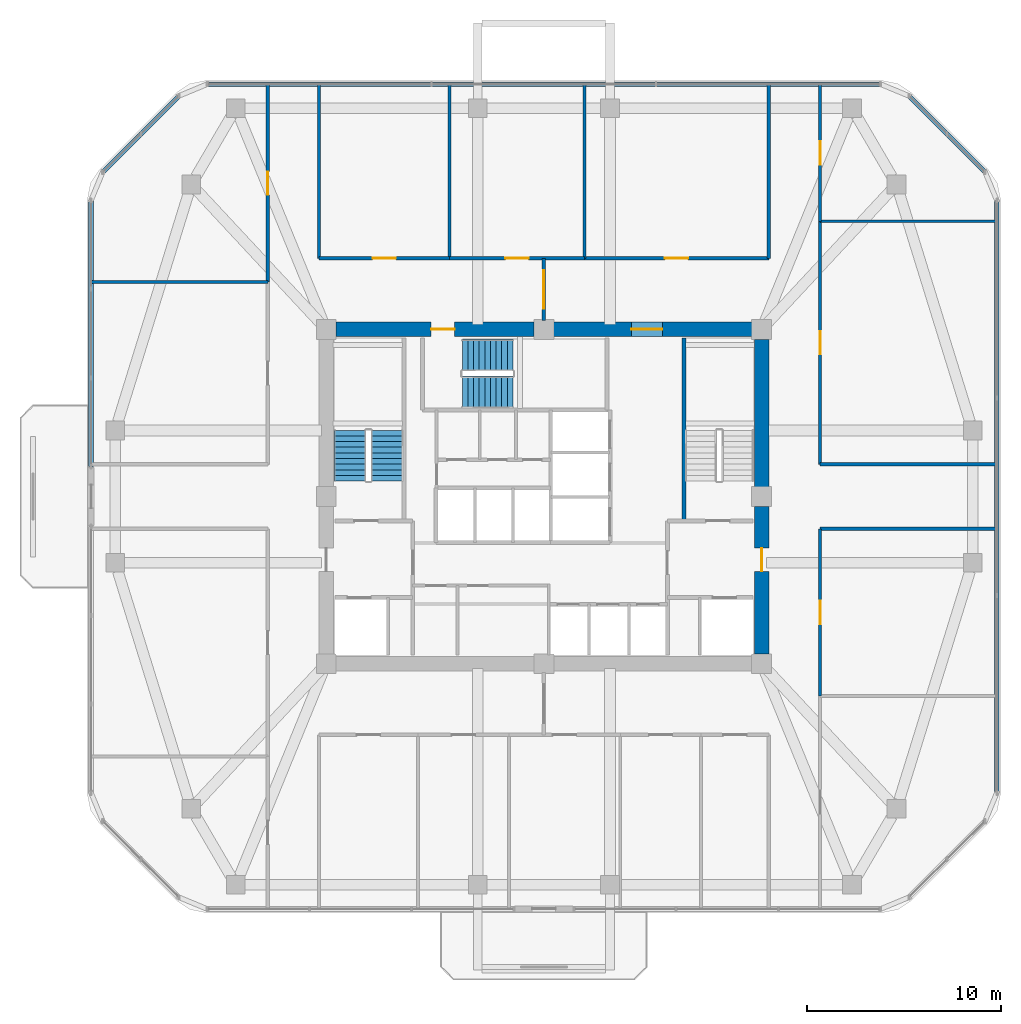
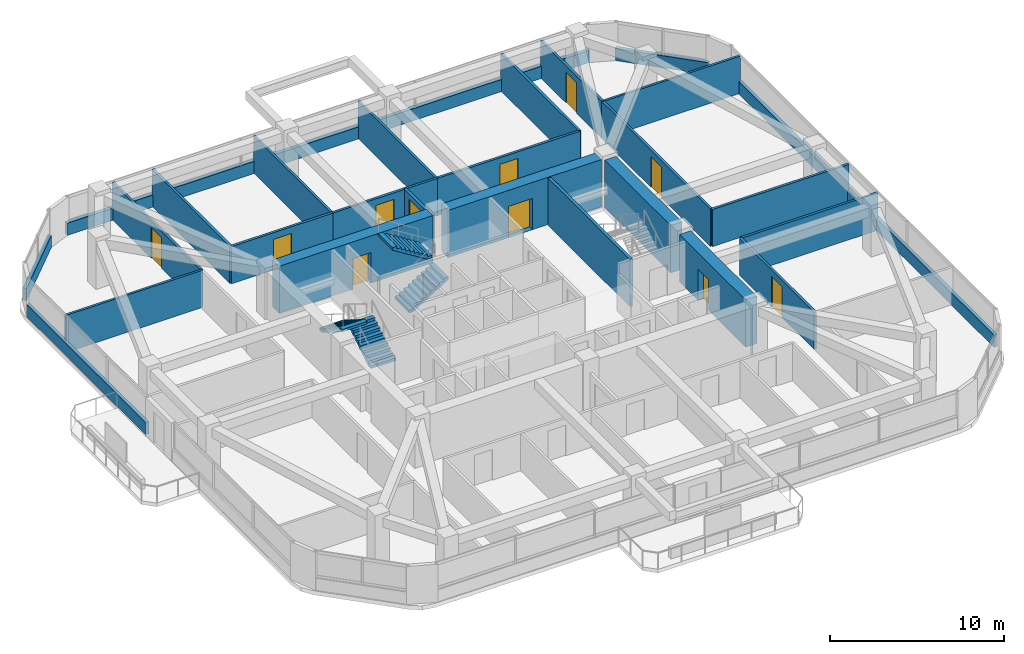
# One storey, part 9 of 12: 26 walls, 11 doors, 4 stair flights, 11 openings, 2 elements without a shape of their own.
"""IFC4 building model written with IfcOpenShell, lengths in metres."""

from ifc_helpers import new_model, si_unit, derived_unit, direction, frame, frame_2d, origin, place, context, subcontext, project, spatial, polyline, rectangle, outline, extrude, material, layer, layer_set, type_object, element, fill, aggregate, save


model = new_model("IFC4")

# Units and contexts
model_context = context("Model", 3, precision=1e-05, world=origin(), true_north=direction((0.0, 1.0)))
body_context = subcontext(model_context, "Body", "Model", "MODEL_VIEW")
ifc_project = project(units=[si_unit("LENGTHUNIT", "METRE"), si_unit("AREAUNIT", "SQUARE_METRE"), si_unit("VOLUMEUNIT", "CUBIC_METRE"), si_unit("PLANEANGLEUNIT", "RADIAN"), si_unit("MASSUNIT", "GRAM", prefix="KILO"), derived_unit("THERMALTRANSMITTANCEUNIT", [(si_unit("POWERUNIT", "WATT"), 1), (si_unit("LENGTHUNIT", "METRE"), -2), (si_unit("THERMODYNAMICTEMPERATUREUNIT", "KELVIN"), -1)])], contexts=[model_context])

# Site, building, storey
site_placement = place(None, origin())
site = spatial("IfcSite", under=ifc_project, at=site_placement, CompositionType="ELEMENT")
building_placement = place(site_placement, origin())
building = spatial("IfcBuilding", under=site, at=building_placement, Name="Koralith Skygarden Medical Center", CompositionType="ELEMENT")
storey_placement = place(building_placement, frame((0.0, 0.0, 149.219970703125)))
storey = spatial("IfcBuildingStorey", under=building, at=storey_placement, Name="L38", CompositionType="ELEMENT", Elevation=149.219970703125)

# Walls
ifc_material_1 = material(Name="Gypsum Board Partition")
ifc_layer_1 = layer(ifc_material_1, 0.14990234375)
ifc_layer_set_1 = layer_set([ifc_layer_1], Name="Gypsum Board Partition")
wall_type_1 = type_object("IfcWallType", Name="Clinical Acoustic Partition 150", PredefinedType="PARTITIONING", material=ifc_layer_set_1)
for number, where, z_axis, x_axis, name in (
    (1, (32.14501953125, 38.159912109375, 0.0), (0.0, 0.0, 1.0), (0.0, 1.0, 0.0), "L38 Clinical Acoustic Partition 150 W-PART-L38-N-01"),
    (2, (39.0810546875, 38.159912109375, 0.0), (0.0, 0.0, 1.0), (0.0, 1.0, 0.0), "L38 Clinical Acoustic Partition 150 W-PART-L38-N-02"),
):
    element("IfcWall", number, at=place(storey_placement, frame(where, z_axis=z_axis, x_axis=x_axis)), inside=storey, type_object=wall_type_1, Name=name, PredefinedType="PARTITIONING", context=body_context, shape_type="SweptSolid", body=[
        extrude(rectangle(XDim=8.940185546875, YDim=0.14990234375, at=frame_2d((4.47021484375, 0.0))), origin(), (0.0, 0.0, 1.0), 2.610107421875),
    ])
for number, where, z_axis, x_axis, name in (
    (3, (22.7900390625, 36.93896484375, 0.0), (0.0, 0.0, 1.0), (-1.0, 0.0, 0.0), "L38 Clinical Acoustic Partition 150 W-PART-L38-WN-01"),
    (4, (51.2099609375, 40.06591796875, 0.0), (0.0, 0.0, 1.0), (1.0, 0.0, 0.0), "L38 Clinical Acoustic Partition 150 W-PART-L38-EN-01"),
):
    element("IfcWall", number, at=place(storey_placement, frame(where, z_axis=z_axis, x_axis=x_axis)), inside=storey, type_object=wall_type_1, Name=name, PredefinedType="PARTITIONING", context=body_context, shape_type="SweptSolid", body=[
        extrude(rectangle(XDim=9.073974609375, YDim=0.14990234375, at=frame_2d((4.537109375, 0.0))), origin(), (0.0, 0.0, 1.0), 2.610107421875),
    ])
ifc_layer_2 = layer(ifc_material_1, 0.1650390625)
ifc_layer_set_2 = layer_set([ifc_layer_2], Name="Gypsum Board Partition")
wall_type_2 = type_object("IfcWallType", Name="Clinical Corridor Partition 165", PredefinedType="PARTITIONING", material=ifc_layer_set_2)
for number, where, z_axis, x_axis, name in (
    (5, (25.429931640625, 38.159912109375, 0.0), (0.0, 0.0, 1.0), (0.0, 1.0, 0.0), "L38 Clinical Corridor Partition 165 W-HCOR-L38-NW"),
    (6, (48.570068359375, 38.159912109375, 0.0), (0.0, 0.0, 1.0), (0.0, 1.0, 0.0), "L38 Clinical Corridor Partition 165 W-HCOR-L38-NE"),
):
    element("IfcWall", number, at=place(storey_placement, frame(where, z_axis=z_axis, x_axis=x_axis)), inside=storey, type_object=wall_type_2, Name=name, PredefinedType="PARTITIONING", context=body_context, shape_type="SweptSolid", body=[
        extrude(rectangle(XDim=8.940185546875, YDim=0.1650390625, at=frame_2d((4.47021484375, 0.0))), origin(), (0.0, 0.0, 1.0), 2.610107421875),
    ])
for number, where, z_axis, x_axis, name in (
    (7, (51.2099609375, 24.239990234375, 0.0), (0.0, 0.0, 1.0), (1.0, 0.0, 0.0), "L38 Clinical Corridor Partition 165 W-HCOR-L38-EWS-E"),
    (8, (51.2099609375, 27.56005859375, 0.0), (0.0, 0.0, 1.0), (1.0, 0.0, 0.0), "L38 Clinical Corridor Partition 165 W-HCOR-L38-EWN-E"),
):
    element("IfcWall", number, at=place(storey_placement, frame(where, z_axis=z_axis, x_axis=x_axis)), inside=storey, type_object=wall_type_2, Name=name, PredefinedType="PARTITIONING", context=body_context, shape_type="SweptSolid", body=[
        extrude(rectangle(XDim=9.073974609375, YDim=0.1650390625, at=frame_2d((4.537109375, 0.0))), origin(), (0.0, 0.0, 1.0), 2.610107421875),
    ])

# Wall, opening, door
wall_1_placement = place(storey_placement, frame((25.429931640625, 38.159912109375, 0.0), z_axis=(0.0, 0.0, 1.0), x_axis=(1.0, 0.0, 0.0)))
wall_1 = element("IfcWall", 9, at=wall_1_placement, inside=storey, type_object=wall_type_2, Name="L38 Clinical Corridor Partition 165 W-CORR-L38-N-01", PredefinedType="PARTITIONING", context=body_context, shape_type="SweptSolid", body=[
    extrude(rectangle(XDim=6.715087890625, YDim=0.1650390625, at=frame_2d((3.357421875, 0.0))), origin(), (0.0, 0.0, 1.0), 2.610107421875),
])
opening_1_placement = place(wall_1_placement, frame((2.758056640625, 0.0, 0.0)))
opening_1 = element("IfcOpeningElement", 10, at=opening_1_placement, cuts=wall_1, Name="Opening D-CLN", PredefinedType="OPENING", context=body_context, shape_type="SweptSolid", body=[
    extrude(rectangle(XDim=1.199951171875, YDim=2.14990234375, at=frame_2d((0.60009765625, 1.074951171875))), frame((0.0, 0.092529296875, 0.0), z_axis=(0.0, -1.0, 0.0), x_axis=(1.0, 0.0, 0.0)), (0.0, 0.0, 1.0), 0.18505859375),
])
ifc_material_2 = material(Name="Aluminium 6063-T6", Category="aluminium")
door_type_1 = type_object("IfcDoorType", Name="Clinical Corridor Door D-CLN 1200", OperationType="NOTDEFINED", PredefinedType="DOOR", material=ifc_material_2)
door_1_placement = place(opening_1_placement, origin())
door_1 = element("IfcDoor", 11, at=door_1_placement, inside=storey, type_object=door_type_1, Name="L38 Dermatology Procedure Room 01 Door", OperationType="SINGLE_SWING_RIGHT", OverallHeight=2.14990234375, OverallWidth=1.199951171875, PredefinedType="DOOR", context=body_context, shape_type="SweptSolid", body=[
    extrude(rectangle(XDim=1.199951171875, YDim=2.14990234375, at=frame_2d((0.60009765625, 1.074951171875))), frame((0.0, 0.02490234375, 0.0), z_axis=(0.0, -1.0, 0.0), x_axis=(1.0, 0.0, 0.0)), (0.0, 0.0, 1.0), 0.050048828125),
])
fill(opening_1, door_1)

wall_2_placement = place(storey_placement, frame((32.14501953125, 38.159912109375, 0.0), z_axis=(0.0, 0.0, 1.0), x_axis=(1.0, 0.0, 0.0)))
wall_2 = element("IfcWall", 12, at=wall_2_placement, inside=storey, type_object=wall_type_2, Name="L38 Clinical Corridor Partition 165 W-CORR-L38-N-02", PredefinedType="PARTITIONING", context=body_context, shape_type="SweptSolid", body=[
    extrude(rectangle(XDim=6.93603515625, YDim=0.1650390625, at=frame_2d((3.468017578125, 0.0))), origin(), (0.0, 0.0, 1.0), 2.610107421875),
])
opening_2_placement = place(wall_2_placement, frame((2.867919921875, 0.0, 0.0)))
opening_2 = element("IfcOpeningElement", 13, at=opening_2_placement, cuts=wall_2, Name="Opening D-CLN", PredefinedType="OPENING", context=body_context, shape_type="SweptSolid", body=[
    extrude(rectangle(XDim=1.199951171875, YDim=2.14990234375, at=frame_2d((0.60009765625, 1.074951171875))), frame((0.0, 0.092529296875, 0.0), z_axis=(0.0, -1.0, 0.0), x_axis=(1.0, 0.0, 0.0)), (0.0, 0.0, 1.0), 0.18505859375),
])
door_2_placement = place(opening_2_placement, origin())
door_2 = element("IfcDoor", 14, at=door_2_placement, inside=storey, type_object=door_type_1, Name="L38 Allergy Immunology Office 02 Door", OperationType="SINGLE_SWING_LEFT", OverallHeight=2.14990234375, OverallWidth=1.199951171875, PredefinedType="DOOR", context=body_context, shape_type="SweptSolid", body=[
    extrude(rectangle(XDim=1.199951171875, YDim=2.14990234375, at=frame_2d((0.60009765625, 1.074951171875))), frame((0.0, 0.02490234375, 0.0), z_axis=(0.0, -1.0, 0.0), x_axis=(1.0, 0.0, 0.0)), (0.0, 0.0, 1.0), 0.050048828125),
])
fill(opening_2, door_2)

wall_3_placement = place(storey_placement, frame((39.0810546875, 38.159912109375, 0.0), z_axis=(0.0, 0.0, 1.0), x_axis=(1.0, 0.0, 0.0)))
wall_3 = element("IfcWall", 15, at=wall_3_placement, inside=storey, type_object=wall_type_2, Name="L38 Clinical Corridor Partition 165 W-CORR-L38-N-03", PredefinedType="PARTITIONING", context=body_context, shape_type="SweptSolid", body=[
    extrude(rectangle(XDim=9.489013671875, YDim=0.1650390625, at=frame_2d((4.74462890625, 0.0))), origin(), (0.0, 0.0, 1.0), 2.610107421875),
])
opening_3_placement = place(wall_3_placement, frame((4.14404296875, 0.0, 0.0)))
opening_3 = element("IfcOpeningElement", 16, at=opening_3_placement, cuts=wall_3, Name="Opening D-CLN", PredefinedType="OPENING", context=body_context, shape_type="SweptSolid", body=[
    extrude(rectangle(XDim=1.199951171875, YDim=2.14990234375, at=frame_2d((0.60009765625, 1.074951171875))), frame((0.0, 0.092529296875, 0.0), z_axis=(0.0, -1.0, 0.0), x_axis=(1.0, 0.0, 0.0)), (0.0, 0.0, 1.0), 0.18505859375),
])
door_3_placement = place(opening_3_placement, origin())
door_3 = element("IfcDoor", 17, at=door_3_placement, inside=storey, type_object=door_type_1, Name="L38 Clinical Tea Pantry 03 Door", OperationType="SINGLE_SWING_RIGHT", OverallHeight=2.14990234375, OverallWidth=1.199951171875, PredefinedType="DOOR", context=body_context, shape_type="SweptSolid", body=[
    extrude(rectangle(XDim=1.199951171875, YDim=2.14990234375, at=frame_2d((0.60009765625, 1.074951171875))), frame((0.0, 0.02490234375, 0.0), z_axis=(0.0, -1.0, 0.0), x_axis=(1.0, 0.0, 0.0)), (0.0, 0.0, 1.0), 0.050048828125),
])
fill(opening_3, door_3)

wall_4_placement = place(storey_placement, frame((22.7900390625, 36.93896484375, 0.0), z_axis=(0.0, 0.0, 1.0), x_axis=(0.0, 1.0, 0.0)))
wall_4 = element("IfcWall", 18, at=wall_4_placement, inside=storey, type_object=wall_type_2, Name="L38 Clinical Corridor Partition 165 W-CORR-L38-WN-02", PredefinedType="PARTITIONING", context=body_context, shape_type="SweptSolid", body=[
    extrude(rectangle(XDim=10.1611328125, YDim=0.1650390625, at=frame_2d((5.08056640625, 0.0))), origin(), (0.0, 0.0, 1.0), 2.610107421875),
])
opening_4_placement = place(wall_4_placement, frame((4.48095703125, 0.0, 0.0)))
opening_4 = element("IfcOpeningElement", 19, at=opening_4_placement, cuts=wall_4, Name="Opening D-CLN", PredefinedType="OPENING", context=body_context, shape_type="SweptSolid", body=[
    extrude(rectangle(XDim=1.199951171875, YDim=2.14990234375, at=frame_2d((0.60009765625, 1.074951171875))), frame((0.0, 0.092529296875, 0.0), z_axis=(0.0, -1.0, 0.0), x_axis=(1.0, 0.0, 0.0)), (0.0, 0.0, 1.0), 0.18505859375),
])
door_4_placement = place(opening_4_placement, frame((1.199951171875, 0.0, 0.0), z_axis=(0.0, 0.0, 1.0), x_axis=(-1.0, 0.0, 0.0)))
door_4 = element("IfcDoor", 20, at=door_4_placement, inside=storey, type_object=door_type_1, Name="L38 Clinical Tea Pantry 12 Door", OperationType="SINGLE_SWING_LEFT", OverallHeight=2.14990234375, OverallWidth=1.199951171875, PredefinedType="DOOR", context=body_context, shape_type="SweptSolid", body=[
    extrude(rectangle(XDim=1.199951171875, YDim=2.14990234375, at=frame_2d((0.60009765625, 1.074951171875))), frame((0.0, 0.02490234375, 0.0), z_axis=(0.0, -1.0, 0.0), x_axis=(1.0, 0.0, 0.0)), (0.0, 0.0, 1.0), 0.050048828125),
])
fill(opening_4, door_4)

wall_5_placement = place(storey_placement, frame((51.2099609375, 15.64208984375, 0.0), z_axis=(0.0, 0.0, 1.0), x_axis=(0.0, 1.0, 0.0)))
wall_5 = element("IfcWall", 21, at=wall_5_placement, inside=storey, type_object=wall_type_2, Name="L38 Clinical Corridor Partition 165 W-CORR-L38-ES-02", PredefinedType="PARTITIONING", context=body_context, shape_type="SweptSolid", body=[
    extrude(rectangle(XDim=8.597900390625, YDim=0.1650390625, at=frame_2d((4.298828125, 0.0))), origin(), (0.0, 0.0, 1.0), 2.610107421875),
])
opening_5_placement = place(wall_5_placement, frame((3.698974609375, 0.0, 0.0)))
opening_5 = element("IfcOpeningElement", 22, at=opening_5_placement, cuts=wall_5, Name="Opening D-CLN", PredefinedType="OPENING", context=body_context, shape_type="SweptSolid", body=[
    extrude(rectangle(XDim=1.199951171875, YDim=2.14990234375, at=frame_2d((0.60009765625, 1.074951171875))), frame((0.0, 0.092529296875, 0.0), z_axis=(0.0, -1.0, 0.0), x_axis=(1.0, 0.0, 0.0)), (0.0, 0.0, 1.0), 0.18505859375),
])
door_5_placement = place(opening_5_placement, origin())
door_5 = element("IfcDoor", 23, at=door_5_placement, inside=storey, type_object=door_type_1, Name="L38 Dermatology Procedure Room 14 Door", OperationType="SINGLE_SWING_LEFT", OverallHeight=2.14990234375, OverallWidth=1.199951171875, PredefinedType="DOOR", context=body_context, shape_type="SweptSolid", body=[
    extrude(rectangle(XDim=1.199951171875, YDim=2.14990234375, at=frame_2d((0.60009765625, 1.074951171875))), frame((0.0, 0.02490234375, 0.0), z_axis=(0.0, -1.0, 0.0), x_axis=(1.0, 0.0, 0.0)), (0.0, 0.0, 1.0), 0.050048828125),
])
fill(opening_5, door_5)

wall_6_placement = place(storey_placement, frame((51.2099609375, 27.56005859375, 0.0), z_axis=(0.0, 0.0, 1.0), x_axis=(0.0, 1.0, 0.0)))
wall_6 = element("IfcWall", 24, at=wall_6_placement, inside=storey, type_object=wall_type_2, Name="L38 Clinical Corridor Partition 165 W-CORR-L38-EN-01", PredefinedType="PARTITIONING", context=body_context, shape_type="SweptSolid", body=[
    extrude(rectangle(XDim=12.505859375, YDim=0.1650390625, at=frame_2d((6.2529296875, 0.0))), origin(), (0.0, 0.0, 1.0), 2.610107421875),
])
opening_6_placement = place(wall_6_placement, frame((5.653076171875, 0.0, 0.0)))
opening_6 = element("IfcOpeningElement", 25, at=opening_6_placement, cuts=wall_6, Name="Opening D-CLN", PredefinedType="OPENING", context=body_context, shape_type="SweptSolid", body=[
    extrude(rectangle(XDim=1.199951171875, YDim=2.14990234375, at=frame_2d((0.60009765625, 1.074951171875))), frame((0.0, 0.092529296875, 0.0), z_axis=(0.0, -1.0, 0.0), x_axis=(1.0, 0.0, 0.0)), (0.0, 0.0, 1.0), 0.18505859375),
])
door_6_placement = place(opening_6_placement, origin())
door_6 = element("IfcDoor", 26, at=door_6_placement, inside=storey, type_object=door_type_1, Name="L38 Allergy Immunology Office 15 Door", OperationType="SINGLE_SWING_RIGHT", OverallHeight=2.14990234375, OverallWidth=1.199951171875, PredefinedType="DOOR", context=body_context, shape_type="SweptSolid", body=[
    extrude(rectangle(XDim=1.199951171875, YDim=2.14990234375, at=frame_2d((0.60009765625, 1.074951171875))), frame((0.0, 0.02490234375, 0.0), z_axis=(0.0, -1.0, 0.0), x_axis=(1.0, 0.0, 0.0)), (0.0, 0.0, 1.0), 0.050048828125),
])
fill(opening_6, door_6)

wall_7_placement = place(storey_placement, frame((51.2099609375, 40.06591796875, 0.0), z_axis=(0.0, 0.0, 1.0), x_axis=(0.0, 1.0, 0.0)))
wall_7 = element("IfcWall", 27, at=wall_7_placement, inside=storey, type_object=wall_type_2, Name="L38 Clinical Corridor Partition 165 W-CORR-L38-EN-02", PredefinedType="PARTITIONING", context=body_context, shape_type="SweptSolid", body=[
    extrude(rectangle(XDim=7.0341796875, YDim=0.1650390625, at=frame_2d((3.51708984375, 0.0))), origin(), (0.0, 0.0, 1.0), 2.610107421875),
])
opening_7_placement = place(wall_7_placement, frame((2.9169921875, 0.0, 0.0)))
opening_7 = element("IfcOpeningElement", 28, at=opening_7_placement, cuts=wall_7, Name="Opening D-CLN", PredefinedType="OPENING", context=body_context, shape_type="SweptSolid", body=[
    extrude(rectangle(XDim=1.199951171875, YDim=2.14990234375, at=frame_2d((0.60009765625, 1.074951171875))), frame((0.0, 0.092529296875, 0.0), z_axis=(0.0, -1.0, 0.0), x_axis=(1.0, 0.0, 0.0)), (0.0, 0.0, 1.0), 0.18505859375),
])
door_7_placement = place(opening_7_placement, origin())
door_7 = element("IfcDoor", 29, at=door_7_placement, inside=storey, type_object=door_type_1, Name="L38 Clinical Tea Pantry 16 Door", OperationType="SINGLE_SWING_LEFT", OverallHeight=2.14990234375, OverallWidth=1.199951171875, PredefinedType="DOOR", context=body_context, shape_type="SweptSolid", body=[
    extrude(rectangle(XDim=1.199951171875, YDim=2.14990234375, at=frame_2d((0.60009765625, 1.074951171875))), frame((0.0, 0.02490234375, 0.0), z_axis=(0.0, -1.0, 0.0), x_axis=(1.0, 0.0, 0.0)), (0.0, 0.0, 1.0), 0.050048828125),
])
fill(opening_7, door_7)

ifc_layer_3 = layer(ifc_material_1, 0.179931640625)
ifc_layer_set_3 = layer_set([ifc_layer_3], Name="Gypsum Board Partition")
wall_type_3 = type_object("IfcWallType", Name="Group I-2 Smoke Barrier Wall 180", PredefinedType="PARTITIONING", material=ifc_layer_set_3)
wall_8_placement = place(storey_placement, frame((37.0, 34.949951171875, 0.0), z_axis=(0.0, 0.0, 1.0), x_axis=(0.0, 1.0, 0.0)))
wall_8 = element("IfcWall", 30, at=wall_8_placement, inside=storey, type_object=wall_type_3, Name="L38 Group I-2 Smoke Barrier Wall 180 W-SMK-L38-N", PredefinedType="PARTITIONING", context=body_context, shape_type="SweptSolid", body=[
    extrude(rectangle(XDim=3.2099609375, YDim=0.179931640625, at=frame_2d((1.60498046875, 0.0))), origin(), (0.0, 0.0, 1.0), 2.610107421875),
])
opening_8_placement = place(wall_8_placement, frame((0.60498046875, 0.0, 0.0)))
opening_8 = element("IfcOpeningElement", 31, at=opening_8_placement, cuts=wall_8, Name="Opening D-SMK", PredefinedType="OPENING", context=body_context, shape_type="SweptSolid", body=[
    extrude(rectangle(XDim=2.0, YDim=2.199951171875, at=frame_2d((1.0, 1.10009765625))), frame((0.0, 0.099853515625, 0.0), z_axis=(0.0, -1.0, 0.0), x_axis=(1.0, 0.0, 0.0)), (0.0, 0.0, 1.0), 0.199951171875),
])
ifc_material_3 = material(Name="Steel ASTM A500 Grade C", Category="steel")
door_type_2 = type_object("IfcDoorType", Name="Cross-Corridor Double Smoke Door FD60S 2000", OperationType="NOTDEFINED", PredefinedType="DOOR", material=ifc_material_3)
door_8_placement = place(opening_8_placement, origin())
door_8 = element("IfcDoor", 32, at=door_8_placement, inside=storey, type_object=door_type_2, Name="L38 N Smoke Compartment Cross-Corridor Door", OperationType="DOUBLE_DOOR_SINGLE_SWING", OverallHeight=2.199951171875, OverallWidth=2.0, PredefinedType="DOOR", context=body_context, shape_type="SweptSolid", body=[
    extrude(rectangle(XDim=2.0, YDim=2.199951171875, at=frame_2d((1.0, 1.10009765625))), frame((0.0, 0.02490234375, 0.0), z_axis=(0.0, -1.0, 0.0), x_axis=(1.0, 0.0, 0.0)), (0.0, 0.0, 1.0), 0.050048828125),
])
fill(opening_8, door_8)

# Walls
ifc_material_4 = material(Name="Warm Oolitic Limestone Cladding", Category="masonry")
ifc_layer_4 = layer(ifc_material_4, 0.239990234375)
ifc_layer_set_4 = layer_set([ifc_layer_4], Name="Warm Oolitic Limestone Cladding")
wall_type_4 = type_object("IfcWallType", Name="Limestone Spandrel Sill Backup Wall 240", PredefinedType="SOLIDWALL", material=ifc_layer_set_4)
wall_9_placement = place(storey_placement, frame((60.303955078125, 10.655029296875, 0.0), z_axis=(0.0, 0.0, 1.0), x_axis=(0.0, 1.0, 0.0)))
element("IfcWall", 33, at=wall_9_placement, inside=storey, type_object=wall_type_4, Name="L38 Sill Spandrel E", PredefinedType="SOLIDWALL", context=body_context, shape_type="SweptSolid", body=[
    extrude(rectangle(XDim=30.489990234375, YDim=0.239990234375, at=frame_2d((15.2451171875, 0.0))), origin(), (0.0, 0.0, 1.0), 0.85009765625),
])
wall_10_placement = place(storey_placement, frame((59.702880859375, 42.595947265625, 0.0), z_axis=(0.0, 0.0, 1.0), x_axis=(-0.707084777957, 0.707128783731, 0.0)))
element("IfcWall", 34, at=wall_10_placement, inside=storey, type_object=wall_type_4, Name="L38 Sill Spandrel NE", PredefinedType="SOLIDWALL", context=body_context, shape_type="SweptSolid", body=[
    extrude(rectangle(XDim=5.5478515625, YDim=0.239990234375, at=frame_2d((2.77392578125, 0.0))), origin(), (0.0, 0.0, 1.0), 0.85009765625),
])
wall_11_placement = place(storey_placement, frame((54.3291015625, 47.1201171875, 0.0), z_axis=(0.0, 0.0, 1.0), x_axis=(-1.0, 0.0, 0.0)))
element("IfcWall", 35, at=wall_11_placement, inside=storey, type_object=wall_type_4, Name="L38 Sill Spandrel N", PredefinedType="SOLIDWALL", context=body_context, shape_type="SweptSolid", body=[
    extrude(rectangle(XDim=34.658203125, YDim=0.239990234375, at=frame_2d((17.3291015625, 0.0))), origin(), (0.0, 0.0, 1.0), 0.85009765625),
])
wall_12_placement = place(storey_placement, frame((18.219970703125, 46.51904296875, 0.0), z_axis=(0.0, 0.0, 1.0), x_axis=(-0.707084777957, -0.707128783731, 0.0)))
element("IfcWall", 36, at=wall_12_placement, inside=storey, type_object=wall_type_4, Name="L38 Sill Spandrel NW", PredefinedType="SOLIDWALL", context=body_context, shape_type="SweptSolid", body=[
    extrude(rectangle(XDim=5.5478515625, YDim=0.239990234375, at=frame_2d((2.77392578125, 0.0))), origin(), (0.0, 0.0, 1.0), 0.85009765625),
])
wall_13_placement = place(storey_placement, frame((13.696044921875, 41.14501953125, 0.0), z_axis=(0.0, 0.0, 1.0), x_axis=(0.0, -1.0, 0.0)))
element("IfcWall", 37, at=wall_13_placement, inside=storey, type_object=wall_type_4, Name="L38 Sill Spandrel W-L", PredefinedType="SOLIDWALL", context=body_context, shape_type="SweptSolid", body=[
    extrude(rectangle(XDim=13.705078125, YDim=0.239990234375, at=frame_2d((6.8525390625, 0.0))), origin(), (0.0, 0.0, 1.0), 0.85009765625),
])

# Wall, opening, door
ifc_material_5 = material(Name="Concrete C70/85", Category="concrete")
ifc_layer_5 = layer(ifc_material_5, 0.75)
ifc_layer_set_5 = layer_set([ifc_layer_5], Name="Concrete C70/85")
wall_type_5 = type_object("IfcWallType", Name="Mid Core Shear Wall 750", PredefinedType="SHEAR", material=ifc_layer_set_5)
wall_14_placement = place(storey_placement, frame((48.199951171875, 17.804931640625, 0.0), z_axis=(0.0, 0.0, 1.0), x_axis=(0.0, 1.0, 0.0)))
wall_14 = element("IfcWall", 38, at=wall_14_placement, inside=storey, type_object=wall_type_5, Name="L38 Core Shear Wall Segment 3", PredefinedType="SHEAR", context=body_context, shape_type="SweptSolid", body=[
    extrude(rectangle(XDim=7.590087890625, YDim=0.75, at=frame_2d((3.794921875, 0.0))), origin(), (0.0, 0.0, 1.0), 3.320068359375),
])
opening_9_placement = place(wall_14_placement, frame((4.2451171875, 0.0, 0.0)))
opening_9 = element("IfcOpeningElement", 39, at=opening_9_placement, cuts=wall_14, Name="Opening D-ST60", PredefinedType="OPENING", context=body_context, shape_type="SweptSolid", body=[
    extrude(rectangle(XDim=1.199951171875, YDim=2.14990234375, at=frame_2d((0.60009765625, 1.074951171875))), frame((0.0, 0.385009765625, 0.0), z_axis=(0.0, -1.0, 0.0), x_axis=(1.0, 0.0, 0.0)), (0.0, 0.0, 1.0), 0.77001953125),
])
door_type_3 = type_object("IfcDoorType", Name="Smokeproof Stair Fire Door FD60S 1200", OperationType="NOTDEFINED", PredefinedType="DOOR", material=ifc_material_3)
door_9_placement = place(opening_9_placement, frame((1.199951171875, 0.0, 0.0), z_axis=(0.0, 0.0, 1.0), x_axis=(-1.0, 0.0, 0.0)))
door_9 = element("IfcDoor", 40, at=door_9_placement, inside=storey, type_object=door_type_3, Name="L38 East Corridor to Firefighting Lobby Door", OperationType="SINGLE_SWING_RIGHT", OverallHeight=2.14990234375, OverallWidth=1.199951171875, PredefinedType="DOOR", context=body_context, shape_type="SweptSolid", body=[
    extrude(rectangle(XDim=1.199951171875, YDim=2.14990234375, at=frame_2d((0.60009765625, 1.074951171875))), frame((0.0, 0.02490234375, 0.0), z_axis=(0.0, -1.0, 0.0), x_axis=(1.0, 0.0, 0.0)), (0.0, 0.0, 1.0), 0.050048828125),
])
fill(opening_9, door_9)

# Wall
wall_15_placement = place(storey_placement, frame((48.199951171875, 26.405029296875, 0.0), z_axis=(0.0, 0.0, 1.0), x_axis=(0.0, 1.0, 0.0)))
element("IfcWall", 41, at=wall_15_placement, inside=storey, type_object=wall_type_5, Name="L38 Core Shear Wall Segment 4", PredefinedType="SHEAR", context=body_context, shape_type="SweptSolid", body=[
    extrude(rectangle(XDim=7.590087890625, YDim=0.75, at=frame_2d((3.794921875, 0.0))), origin(), (0.0, 0.0, 1.0), 3.320068359375),
])

# Wall, opening, door
wall_16_placement = place(storey_placement, frame((47.695068359375, 34.5, 0.0), z_axis=(0.0, 0.0, 1.0), x_axis=(-1.0, 0.0, 0.0)))
wall_16 = element("IfcWall", 42, at=wall_16_placement, inside=storey, type_object=wall_type_5, Name="L38 Core Shear Wall Segment 5", PredefinedType="SHEAR", context=body_context, shape_type="SweptSolid", body=[
    extrude(rectangle(XDim=10.190185546875, YDim=0.75, at=frame_2d((5.09521484375, 0.0))), origin(), (0.0, 0.0, 1.0), 3.320068359375),
])
opening_10_placement = place(wall_16_placement, frame((4.594970703125, 0.0, 0.0)))
opening_10 = element("IfcOpeningElement", 43, at=opening_10_placement, cuts=wall_16, Name="Opening D-DBL", PredefinedType="OPENING", context=body_context, shape_type="SweptSolid", body=[
    extrude(rectangle(XDim=1.60009765625, YDim=2.199951171875, at=frame_2d((0.800048828125, 1.10009765625))), frame((0.0, 0.385009765625, 0.0), z_axis=(0.0, -1.0, 0.0), x_axis=(1.0, 0.0, 0.0)), (0.0, 0.0, 1.0), 0.77001953125),
])
door_type_4 = type_object("IfcDoorType", Name="Double Clinical Suite Door D-DBL 1600", OperationType="NOTDEFINED", PredefinedType="DOOR", material=ifc_material_2)
door_10_placement = place(opening_10_placement, frame((1.60009765625, 0.0, 0.0), z_axis=(0.0, 0.0, 1.0), x_axis=(-1.0, 0.0, 0.0)))
door_10 = element("IfcDoor", 44, at=door_10_placement, inside=storey, type_object=door_type_4, Name="L38 North-East Corridor to Elevator Lobby Door", OperationType="DOUBLE_DOOR_SINGLE_SWING", OverallHeight=2.199951171875, OverallWidth=1.60009765625, PredefinedType="DOOR", context=body_context, shape_type="SweptSolid", body=[
    extrude(rectangle(XDim=1.60009765625, YDim=2.199951171875, at=frame_2d((0.800048828125, 1.10009765625))), frame((0.0, 0.02490234375, 0.0), z_axis=(0.0, -1.0, 0.0), x_axis=(1.0, 0.0, 0.0)), (0.0, 0.0, 1.0), 0.050048828125),
])
fill(opening_10, door_10)

wall_17_placement = place(storey_placement, frame((36.4951171875, 34.5, 0.0), z_axis=(0.0, 0.0, 1.0), x_axis=(-1.0, 0.0, 0.0)))
wall_17 = element("IfcWall", 45, at=wall_17_placement, inside=storey, type_object=wall_type_5, Name="L38 Core Shear Wall Segment 6", PredefinedType="SHEAR", context=body_context, shape_type="SweptSolid", body=[
    extrude(rectangle(XDim=10.190185546875, YDim=0.75, at=frame_2d((5.09521484375, 0.0))), origin(), (0.0, 0.0, 1.0), 3.320068359375),
])
opening_11_placement = place(wall_17_placement, frame((4.094970703125, 0.0, 0.0)))
opening_11 = element("IfcOpeningElement", 46, at=opening_11_placement, cuts=wall_17, Name="Opening D-ST60", PredefinedType="OPENING", context=body_context, shape_type="SweptSolid", body=[
    extrude(rectangle(XDim=1.199951171875, YDim=2.14990234375, at=frame_2d((0.60009765625, 1.074951171875))), frame((0.0, 0.385009765625, 0.0), z_axis=(0.0, -1.0, 0.0), x_axis=(1.0, 0.0, 0.0)), (0.0, 0.0, 1.0), 0.77001953125),
])
door_11_placement = place(opening_11_placement, frame((1.199951171875, 0.0, 0.0), z_axis=(0.0, 0.0, 1.0), x_axis=(-1.0, 0.0, 0.0)))
door_11 = element("IfcDoor", 47, at=door_11_placement, inside=storey, type_object=door_type_3, Name="L38 Exit Stair ST3 Fire Door", OperationType="SINGLE_SWING_LEFT", OverallHeight=2.14990234375, OverallWidth=1.199951171875, PredefinedType="DOOR", context=body_context, shape_type="SweptSolid", body=[
    extrude(rectangle(XDim=1.199951171875, YDim=2.14990234375, at=frame_2d((0.60009765625, 1.074951171875))), frame((0.0, 0.02490234375, 0.0), z_axis=(0.0, -1.0, 0.0), x_axis=(1.0, 0.0, 0.0)), (0.0, 0.0, 1.0), 0.050048828125),
])
fill(opening_11, door_11)

# Wall
ifc_material_6 = material(Name="Concrete C45/55", Category="concrete")
ifc_layer_6 = layer(ifc_material_6, 0.199951171875)
ifc_layer_set_6 = layer_set([ifc_layer_6], Name="Concrete C45/55")
wall_type_6 = type_object("IfcWallType", Name="Structural Stair Shaft Wall 200", PredefinedType="SHEAR", material=ifc_layer_set_6)
wall_18_placement = place(storey_placement, frame((44.199951171875, 24.64990234375, 0.0), z_axis=(0.0, 0.0, 1.0), x_axis=(0.0, 1.0, 0.0)))
element("IfcWall", 48, at=wall_18_placement, inside=storey, type_object=wall_type_6, Name="L38 Structural Stair Shaft Wall 200 W-CORE-L38-ST2-W", PredefinedType="SHEAR", context=body_context, shape_type="SweptSolid", body=[
    extrude(rectangle(XDim=9.400146484375, YDim=0.199951171875, at=frame_2d((4.7001953125, 0.0))), origin(), (0.0, 0.0, 1.0), 3.320068359375),
])

# Stair, stair flights
stair_type = type_object("IfcStairType", Name="Core Exit Dogleg Concrete Stair", PredefinedType="HALF_TURN_STAIR", material=ifc_material_6)
stair_1_placement = place(storey_placement, origin())
stair_1 = element("IfcStair", 49, at=stair_1_placement, inside=storey, type_object=stair_type, Name="L38 Smokeproof Exit Stair ST1", PredefinedType="HALF_TURN_STAIR")
stair_flight_type = type_object("IfcStairFlightType", Name="Core Exit Concrete Stair Flight 1650", PredefinedType="STRAIGHT", material=ifc_material_6)
stair_flight_1_placement = place(storey_placement, frame((28.925048828125, 26.699951171875, 0.0), z_axis=(0.0, 0.0, 1.0), x_axis=(0.0, 1.0, 0.0)))
stair_flight_1 = element("IfcStairFlight", 50, at=stair_flight_1_placement, type_object=stair_flight_type, Name="ST1 flight 1", NumberOfRisers=10, NumberOfTreads=9, PredefinedType="STRAIGHT", RiserHeight=0.18, TreadLength=0.29, context=body_context, shape_type="SweptSolid", body=[
    extrude(outline(polyline([(0.0, 0.0), (0.0, 0.179931640625), (0.2900390625, 0.179931640625), (0.2900390625, 0.360107421875), (0.580078125, 0.360107421875), (0.580078125, 0.5400390625), (0.8701171875, 0.5400390625), (0.8701171875, 0.719970703125), (1.159912109375, 0.719970703125), (1.159912109375, 0.89990234375), (1.449951171875, 0.89990234375), (1.449951171875, 1.080078125), (1.739990234375, 1.080078125), (1.739990234375, 1.260009765625), (2.030029296875, 1.260009765625), (2.030029296875, 1.43994140625), (2.320068359375, 1.43994140625), (2.320068359375, 1.6201171875), (2.610107421875, 1.6201171875), (2.610107421875, 1.800048828125), (2.610107421875, 1.443603515625), (0.2841796875, 0.0), (0.0, 0.0)])), frame((0.0, 0.824951171875, 0.0), z_axis=(0.0, -1.0, 0.0), x_axis=(1.0, 0.0, 0.0)), (0.0, 0.0, 1.0), 1.64990234375),
])
stair_flight_2_placement = place(storey_placement, frame((27.02490234375, 29.31005859375, 1.800048828125), z_axis=(0.0, 0.0, 1.0), x_axis=(0.0, -1.0, 0.0)))
stair_flight_2 = element("IfcStairFlight", 51, at=stair_flight_2_placement, type_object=stair_flight_type, Name="ST1 flight 2", NumberOfRisers=10, NumberOfTreads=9, PredefinedType="STRAIGHT", RiserHeight=0.18, TreadLength=0.29, context=body_context, shape_type="SweptSolid", body=[
    extrude(outline(polyline([(0.0, 0.0), (0.0, 0.179931640625), (0.2900390625, 0.179931640625), (0.2900390625, 0.360107421875), (0.580078125, 0.360107421875), (0.580078125, 0.5400390625), (0.8701171875, 0.5400390625), (0.8701171875, 0.719970703125), (1.159912109375, 0.719970703125), (1.159912109375, 0.89990234375), (1.449951171875, 0.89990234375), (1.449951171875, 1.080078125), (1.739990234375, 1.080078125), (1.739990234375, 1.260009765625), (2.030029296875, 1.260009765625), (2.030029296875, 1.43994140625), (2.320068359375, 1.43994140625), (2.320068359375, 1.6201171875), (2.610107421875, 1.6201171875), (2.610107421875, 1.800048828125), (2.610107421875, 1.443603515625), (0.2841796875, 0.0), (0.0, 0.0)])), frame((0.0, 0.824951171875, 0.0), z_axis=(0.0, -1.0, 0.0), x_axis=(1.0, 0.0, 0.0)), (0.0, 0.0, 1.0), 1.64990234375),
])
aggregate(stair_1, [stair_flight_1, stair_flight_2])

stair_2_placement = place(storey_placement, origin())
stair_2 = element("IfcStair", 52, at=stair_2_placement, inside=storey, type_object=stair_type, Name="L38 Smokeproof Exit Stair ST3", PredefinedType="HALF_TURN_STAIR")
stair_flight_3_placement = place(storey_placement, frame((32.800048828125, 31.27490234375, 0.0), z_axis=(0.0, 0.0, 1.0), x_axis=(1.0, 0.0, 0.0)))
stair_flight_3 = element("IfcStairFlight", 53, at=stair_flight_3_placement, type_object=stair_flight_type, Name="ST3 flight 1", NumberOfRisers=10, NumberOfTreads=9, PredefinedType="STRAIGHT", RiserHeight=0.18, TreadLength=0.29, context=body_context, shape_type="SweptSolid", body=[
    extrude(outline(polyline([(0.0, 0.0), (0.0, 0.179931640625), (0.2900390625, 0.179931640625), (0.2900390625, 0.360107421875), (0.580078125, 0.360107421875), (0.580078125, 0.5400390625), (0.8701171875, 0.5400390625), (0.8701171875, 0.719970703125), (1.159912109375, 0.719970703125), (1.159912109375, 0.89990234375), (1.449951171875, 0.89990234375), (1.449951171875, 1.080078125), (1.739990234375, 1.080078125), (1.739990234375, 1.260009765625), (2.030029296875, 1.260009765625), (2.030029296875, 1.43994140625), (2.320068359375, 1.43994140625), (2.320068359375, 1.6201171875), (2.610107421875, 1.6201171875), (2.610107421875, 1.800048828125), (2.610107421875, 1.443603515625), (0.2841796875, 0.0), (0.0, 0.0)])), frame((0.0, 0.824951171875, 0.0), z_axis=(0.0, -1.0, 0.0), x_axis=(1.0, 0.0, 0.0)), (0.0, 0.0, 1.0), 1.64990234375),
])
stair_flight_4_placement = place(storey_placement, frame((35.409912109375, 33.175048828125, 1.800048828125), z_axis=(0.0, 0.0, 1.0), x_axis=(-1.0, 0.0, 0.0)))
stair_flight_4 = element("IfcStairFlight", 54, at=stair_flight_4_placement, type_object=stair_flight_type, Name="ST3 flight 2", NumberOfRisers=10, NumberOfTreads=9, PredefinedType="STRAIGHT", RiserHeight=0.18, TreadLength=0.29, context=body_context, shape_type="SweptSolid", body=[
    extrude(outline(polyline([(0.0, 0.0), (0.0, 0.179931640625), (0.2900390625, 0.179931640625), (0.2900390625, 0.360107421875), (0.580078125, 0.360107421875), (0.580078125, 0.5400390625), (0.8701171875, 0.5400390625), (0.8701171875, 0.719970703125), (1.159912109375, 0.719970703125), (1.159912109375, 0.89990234375), (1.449951171875, 0.89990234375), (1.449951171875, 1.080078125), (1.739990234375, 1.080078125), (1.739990234375, 1.260009765625), (2.030029296875, 1.260009765625), (2.030029296875, 1.43994140625), (2.320068359375, 1.43994140625), (2.320068359375, 1.6201171875), (2.610107421875, 1.6201171875), (2.610107421875, 1.800048828125), (2.610107421875, 1.443603515625), (0.2841796875, 0.0), (0.0, 0.0)])), frame((0.0, 0.824951171875, 0.0), z_axis=(0.0, -1.0, 0.0), x_axis=(1.0, 0.0, 0.0)), (0.0, 0.0, 1.0), 1.64990234375),
])
aggregate(stair_2, [stair_flight_3, stair_flight_4])

save(model, "model.ifc")
